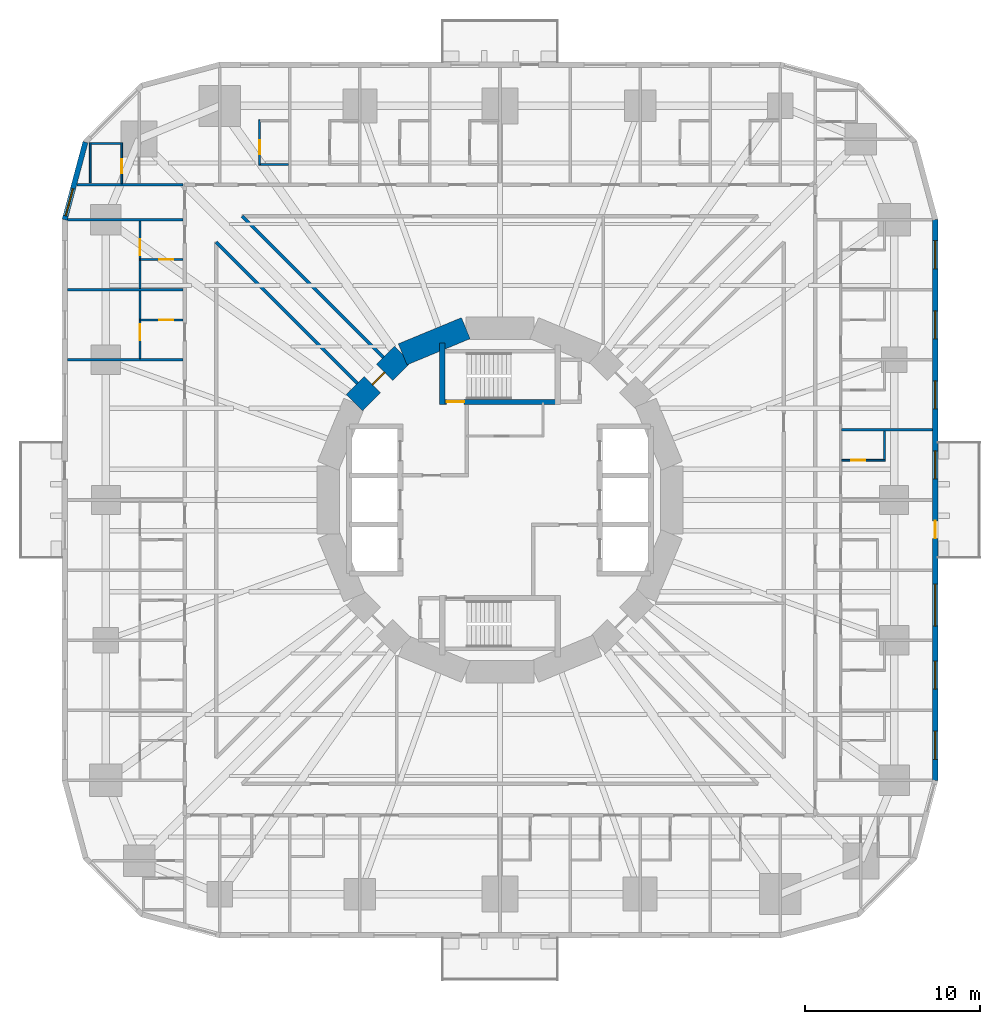
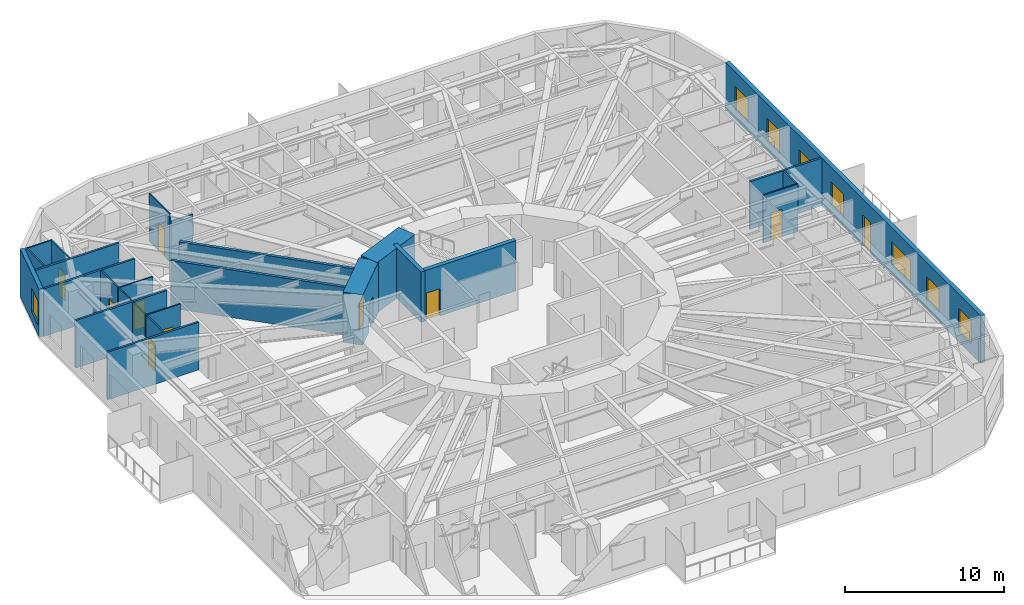
# One storey, part 9 of 14: 26 walls, 10 doors, 8 windows, 18 openings.
"""IFC4 building model written with IfcOpenShell, lengths in metres."""

import ifcopenshell
import ifcopenshell.guid

model = None  # the IFC model being written
_history = None  # IfcOwnerHistory: only IFC2X3 demands one
_inside = {}  # id of a spatial element -> (the spatial element, [elements in it])
_under = {}  # id of a project, library or spatial element -> (it, [spatial elements below it])
_declared = {}  # id of a project -> (the project, [libraries it declares])
_typed = {}  # id of a type object -> (the type object, [elements of that type])
_made_of = {}  # id of a material, layer set ... -> (it, [elements and type objects made of it])


def new_model(schema):
    """Start an empty IFC model of exactly this schema.

    Asked for "IFC4X3", IfcOpenShell would pick the latest addendum, in which some entities
    have other attributes; the version numbers below select the first issue.
    IFC2X3 requires an IfcOwnerHistory on every rooted entity: one is made here for all.
    """
    global model, _history
    if schema == "IFC4X3":
        model = ifcopenshell.file(schema_version=(4, 3, 0, 0))
    else:
        model = ifcopenshell.file(schema=schema)
    _inside.clear()
    _under.clear()
    _declared.clear()
    _typed.clear()
    _made_of.clear()
    _history = None
    if model.schema == "IFC2X3":
        org = make("IfcOrganization", Name="unknown")
        user = make(
            "IfcPersonAndOrganization",
            ThePerson=make("IfcPerson", FamilyName="unknown"),
            TheOrganization=org,
        )
        app = make(
            "IfcApplication",
            ApplicationDeveloper=org,
            Version="unknown",
            ApplicationFullName="unknown",
            ApplicationIdentifier="unknown",
        )
        _history = make(
            "IfcOwnerHistory",
            OwningUser=user,
            OwningApplication=app,
            ChangeAction="ADDED",
            CreationDate=0,
        )
    return model


def make(cls, **values):
    """One entity of the class cls with the attributes given. An attribute that is None is left unset."""
    return model.create_entity(
        cls, **{name: value for name, value in values.items() if value is not None}
    )


def rooted(cls, **values):
    """An entity with a GlobalId (a new one), such as an element, a storey or a relation."""
    return make(cls, GlobalId=ifcopenshell.guid.new(), OwnerHistory=_history, **values)


def si_unit(unit_type, name, prefix=None):
    """IfcSIUnit, for example si_unit("LENGTHUNIT", "METRE", prefix="MILLI")."""
    return make("IfcSIUnit", UnitType=unit_type, Prefix=prefix, Name=name)


def assignment(units):
    """IfcUnitAssignment: the units of a project."""
    return None if units is None else make("IfcUnitAssignment", Units=units)


def point(xyz):
    """IfcCartesianPoint."""
    return None if xyz is None else make("IfcCartesianPoint", Coordinates=xyz)


def direction(xyz):
    """IfcDirection."""
    return None if xyz is None else make("IfcDirection", DirectionRatios=xyz)


def frame(location, z_axis=None, x_axis=None):
    """IfcAxis2Placement3D, a coordinate frame: its origin and axes. An axis left out is left unset."""
    return make(
        "IfcAxis2Placement3D",
        Location=point(location),
        Axis=direction(z_axis),
        RefDirection=direction(x_axis),
    )


def frame_2d(location, x_axis=None):
    """IfcAxis2Placement2D, a coordinate frame in the plane: its origin and x axis."""
    return make(
        "IfcAxis2Placement2D", Location=point(location), RefDirection=direction(x_axis)
    )


def origin():
    """The frame at (0, 0, 0) with its axes left unset."""
    return frame((0.0, 0.0, 0.0))


def place(relative_to, where):
    """IfcLocalPlacement: puts the frame where relative to a parent placement (None: the world)."""
    return make(
        "IfcLocalPlacement", PlacementRelTo=relative_to, RelativePlacement=where
    )


def context(
    kind, dimensions, precision=None, world=None, true_north=None, identifier=None
):
    """IfcGeometricRepresentationContext, for example the 3D "Model" context."""
    return make(
        "IfcGeometricRepresentationContext",
        ContextIdentifier=identifier,
        ContextType=kind,
        CoordinateSpaceDimension=dimensions,
        Precision=precision,
        WorldCoordinateSystem=world,
        TrueNorth=true_north,
    )


def subcontext(parent, identifier, kind, view, scale=None):
    """IfcGeometricRepresentationSubContext, for example "Body" below "Model"."""
    return make(
        "IfcGeometricRepresentationSubContext",
        ContextIdentifier=identifier,
        ContextType=kind,
        ParentContext=parent,
        TargetScale=scale,
        TargetView=view,
    )


def project(units=None, contexts=None):
    """IfcProject with its units and contexts."""
    return rooted(
        "IfcProject",
        Name="project",
        RepresentationContexts=contexts,
        UnitsInContext=assignment(units),
    )


def spatial(cls, under=None, at=None, **own):
    """A site, building, storey or space (cls), placed at a placement, below another one or the project."""
    s = rooted(cls, ObjectPlacement=at, **own)
    if under is not None:
        _under.setdefault(under.id(), (under, []))[1].append(s)
    return s


def profile(cls, at=None, kind="AREA", **sizes):
    """A parametric profile (cls). Its sizes go by their IFC names, for example OverallWidth=200.0."""
    return make(cls, ProfileType=kind, Position=at, **sizes)


def rectangle(**sizes):
    """IfcRectangleProfileDef."""
    return profile("IfcRectangleProfileDef", **sizes)


def extrude(swept, where, along, depth):
    """IfcExtrudedAreaSolid: the profile swept, set in the frame where, extruded along a direction by depth."""
    return make(
        "IfcExtrudedAreaSolid",
        SweptArea=swept,
        Position=where,
        ExtrudedDirection=direction(along),
        Depth=depth,
    )


def shape(context_of_items, identifier, shape_type, items):
    """IfcShapeRepresentation: the items that make up one representation, for example the "Body"."""
    return make(
        "IfcShapeRepresentation",
        ContextOfItems=context_of_items,
        RepresentationIdentifier=identifier,
        RepresentationType=shape_type,
        Items=items,
    )


def material(Name=None, Category=None):
    """IfcMaterial."""
    return make("IfcMaterial", Name=Name, Category=Category)


def layer(
    of_material, thickness, ventilated=None, Name=None, Category=None, Priority=None
):
    """IfcMaterialLayer: one layer of a wall or slab, of a material (None: an air gap)."""
    return make(
        "IfcMaterialLayer",
        Material=of_material,
        LayerThickness=thickness,
        IsVentilated=ventilated,
        Name=Name,
        Category=Category,
        Priority=Priority,
    )


def layer_set(layers, Name=None):
    """IfcMaterialLayerSet."""
    return make("IfcMaterialLayerSet", MaterialLayers=layers, LayerSetName=Name)


def made_of(thing, what):
    """Note that an element or type object is made of a material, layer set ...; save() writes the relation."""
    if what is not None:
        _made_of.setdefault(what.id(), (what, []))[1].append(thing)
    return thing


def type_object(cls, material=None, **own):
    """A type object (cls), such as IfcWallType, which elements share."""
    return made_of(rooted(cls, **own), material)


def element(
    cls,
    number,
    at=None,
    inside=None,
    cuts=None,
    type_object=None,
    material=None,
    context=None,
    identifier="Body",
    shape_type=None,
    held_by="IfcProductDefinitionShape",
    body=None,
    shapes=None,
    **own,
):
    """One element of the class cls, such as IfcWall. Its Tag is "e" and its number.

    at: its placement. inside: the storey or other place that contains it. cuts: it is an
    opening in that element (IfcRelVoidsElement). A single representation is given by context,
    identifier, shape_type and body (its items); several are given by shapes. held_by: the class
    of the entity that holds the representations. save() writes the other relations.
    """
    e = rooted(cls, Tag="e%d" % number, ObjectPlacement=at, **own)
    if body is not None:
        shapes = [shape(context, identifier, shape_type, body)]
    if shapes is not None:
        e.Representation = make(held_by, Representations=shapes)
    if inside is not None:
        _inside.setdefault(inside.id(), (inside, []))[1].append(e)
    if cuts is not None:
        rooted(
            "IfcRelVoidsElement", RelatingBuildingElement=cuts, RelatedOpeningElement=e
        )
    if type_object is not None:
        _typed.setdefault(type_object.id(), (type_object, []))[1].append(e)
    return made_of(e, material)


def fill(opening, filler):
    """IfcRelFillsElement: the door or window that sits in an opening."""
    return rooted(
        "IfcRelFillsElement",
        RelatingOpeningElement=opening,
        RelatedBuildingElement=filler,
    )


def aggregate(whole, parts):
    """IfcRelAggregates: a whole, such as a stair, and the parts it consists of."""
    return rooted("IfcRelAggregates", RelatingObject=whole, RelatedObjects=parts)


def save(model, path):
    """Write the relations noted so far, then the file.

    IfcRelAggregates (storeys below a building ...), IfcRelContainedInSpatialStructure (elements
    in a storey), IfcRelDefinesByType, IfcRelAssociatesMaterial and IfcRelDeclares: one each for
    every whole, place, type object, material and project.
    """
    for whole, parts in _under.values():
        aggregate(whole, parts)
    for where, things in _inside.values():
        rooted(
            "IfcRelContainedInSpatialStructure",
            RelatedElements=things,
            RelatingStructure=where,
        )
    for kind, things in _typed.values():
        rooted("IfcRelDefinesByType", RelatedObjects=things, RelatingType=kind)
    for what, things in _made_of.values():
        rooted("IfcRelAssociatesMaterial", RelatedObjects=things, RelatingMaterial=what)
    for by, libraries in _declared.values():
        rooted("IfcRelDeclares", RelatingContext=by, RelatedDefinitions=libraries)
    model.write(path)


model = new_model("IFC4")

# Units and contexts
model_context = context("Model", 3, precision=1e-05, world=origin(), true_north=direction((0.0, 1.0)))
body_context = subcontext(model_context, "Body", "Model", "MODEL_VIEW")
ifc_project = project(units=[si_unit("LENGTHUNIT", "METRE"), si_unit("AREAUNIT", "SQUARE_METRE"), si_unit("VOLUMEUNIT", "CUBIC_METRE"), si_unit("PLANEANGLEUNIT", "RADIAN"), si_unit("MASSUNIT", "GRAM", prefix="KILO")], contexts=[model_context])

# Site, building, storey
site_placement = place(None, origin())
site = spatial("IfcSite", under=ifc_project, at=site_placement, CompositionType="ELEMENT")
building_placement = place(site_placement, origin())
building = spatial("IfcBuilding", under=site, at=building_placement, Name="Nakasero Lantern House", CompositionType="ELEMENT")
storey_placement = place(building_placement, frame((0.0, 0.0, 50.64990234375)))
storey = spatial("IfcBuildingStorey", under=building, at=storey_placement, Name="L12", CompositionType="ELEMENT", Elevation=50.64990234375)

# Wall, opening, door
ifc_material_1 = material(Name="Concrete C50/60", Category="concrete")
ifc_layer_1 = layer(ifc_material_1, 0.300048828125)
ifc_layer_set_1 = layer_set([ifc_layer_1], Name="Core inner wall 300")
wall_type_1 = type_object("IfcWallType", Name="Core inner wall 300", PredefinedType="SHEAR", material=ifc_layer_set_1)
wall_1_placement = place(storey_placement, frame((-3.449951171875, 5.60009765625, 0.0), z_axis=(0.0, 0.0, 1.0), x_axis=(1.0, 0.0, 0.0)))
wall_1 = element("IfcWall", 1, at=wall_1_placement, inside=storey, type_object=wall_type_1, Name="Core inner wall L12 SN", PredefinedType="SHEAR", context=body_context, shape_type="SweptSolid", body=[
    extrude(rectangle(XDim=6.89990234375, YDim=0.300048828125, at=frame_2d((3.449951171875, 0.0))), origin(), (0.0, 0.0, 1.0), 3.85009765625),
])
opening_1_placement = place(wall_1_placement, frame((0.39990234375, 0.0, 0.0)))
opening_1 = element("IfcOpeningElement", 2, at=opening_1_placement, cuts=wall_1, Name="Opening D05", PredefinedType="OPENING", context=body_context, shape_type="SweptSolid", body=[
    extrude(rectangle(XDim=1.0, YDim=2.10009765625, at=frame_2d((0.5, 1.050048828125))), frame((0.0, 0.169921875, 0.0), z_axis=(0.0, -1.0, 0.0), x_axis=(1.0, 0.0, 0.0)), (0.0, 0.0, 1.0), 0.340087890625),
])
ifc_material_2 = material(Name="Timber C24", Category="wood")
door_type_1 = type_object("IfcDoorType", Name="Core door FD60S 1000", OperationType="SINGLE_SWING_LEFT", PredefinedType="DOOR", material=ifc_material_2)
door_1_placement = place(opening_1_placement, origin())
door_1 = element("IfcDoor", 3, at=door_1_placement, inside=storey, type_object=door_type_1, Name="Door L12 D-ST1", OperationType="SINGLE_SWING_LEFT", OverallHeight=2.10009765625, OverallWidth=1.0, PredefinedType="DOOR", context=body_context, shape_type="SweptSolid", body=[
    extrude(rectangle(XDim=1.0, YDim=2.10009765625, at=frame_2d((0.5, 1.050048828125))), frame((0.0, 0.02490234375, 0.0), z_axis=(0.0, -1.0, 0.0), x_axis=(1.0, 0.0, 0.0)), (0.0, 0.0, 1.0), 0.050048828125),
])
fill(opening_1, door_1)

# Walls
wall_2_placement = place(storey_placement, frame((-3.300048828125, 5.449951171875, 0.0), z_axis=(0.0, 0.0, 1.0), x_axis=(0.0, 1.0, 0.0)))
element("IfcWall", 4, at=wall_2_placement, inside=storey, type_object=wall_type_1, Name="Core inner wall L12 SNW", PredefinedType="SHEAR", context=body_context, shape_type="SweptSolid", body=[
    extrude(rectangle(XDim=3.5, YDim=0.300048828125, at=frame_2d((1.75, 0.0))), origin(), (0.0, 0.0, 1.0), 3.85009765625),
])
ifc_material_3 = material(Name="Concrete C50/60", Category="concrete")
ifc_layer_2 = layer(ifc_material_3, 1.300048828125)
ifc_layer_set_2 = layer_set([ifc_layer_2], Name="Core wall 1300")
wall_type_2 = type_object("IfcWallType", Name="Core wall 1300", PredefinedType="SHEAR", material=ifc_layer_set_2)
wall_3_placement = place(storey_placement, frame((-1.950927734375, 9.807861328125, 0.0), z_axis=(0.0, 0.0, 1.0), x_axis=(-0.923876507187, -0.382690736062, 0.0)))
element("IfcWall", 5, at=wall_3_placement, inside=storey, type_object=wall_type_2, Name="Core wall L12 facet 5", PredefinedType="SHEAR", context=body_context, shape_type="SweptSolid", body=[
    extrude(rectangle(XDim=3.90185546875, YDim=1.300048828125, at=frame_2d((1.950927734375, 0.0))), origin(), (0.0, 0.0, 1.0), 3.85009765625),
])

# Wall, opening, door
wall_4_placement = place(storey_placement, frame((-5.5556640625, 8.314697265625, 0.0), z_axis=(0.0, 0.0, 1.0), x_axis=(-0.707106781187, -0.707106781187, 0.0)))
wall_4 = element("IfcWall", 6, at=wall_4_placement, inside=storey, type_object=wall_type_2, Name="Core wall L12 facet 6", PredefinedType="SHEAR", context=body_context, shape_type="SweptSolid", body=[
    extrude(rectangle(XDim=3.90185546875, YDim=1.300048828125, at=frame_2d((1.950927734375, 0.0))), origin(), (0.0, 0.0, 1.0), 3.85009765625),
])
opening_2_placement = place(wall_4_placement, frame((1.450927734375, 0.0, 0.0)))
opening_2 = element("IfcOpeningElement", 7, at=opening_2_placement, cuts=wall_4, Name="Opening D05", PredefinedType="OPENING", context=body_context, shape_type="SweptSolid", body=[
    extrude(rectangle(XDim=1.0, YDim=2.10009765625, at=frame_2d((0.5, 1.050048828125))), frame((0.0, 0.669921875, 0.0), z_axis=(0.0, -1.0, 0.0), x_axis=(1.0, 0.0, 0.0)), (0.0, 0.0, 1.0), 1.340087890625),
])
door_2_placement = place(opening_2_placement, origin())
door_2 = element("IfcDoor", 8, at=door_2_placement, inside=storey, type_object=door_type_1, Name="Door L12 D-CORE06", OperationType="SINGLE_SWING_LEFT", OverallHeight=2.10009765625, OverallWidth=1.0, PredefinedType="DOOR", context=body_context, shape_type="SweptSolid", body=[
    extrude(rectangle(XDim=1.0, YDim=2.10009765625, at=frame_2d((0.5, 1.050048828125))), frame((0.0, 0.02490234375, 0.0), z_axis=(0.0, -1.0, 0.0), x_axis=(1.0, 0.0, 0.0)), (0.0, 0.0, 1.0), 0.050048828125),
])
fill(opening_2, door_2)

# Walls
ifc_material_4 = material(Name="Blockwork", Category="masonry")
ifc_layer_3 = layer(ifc_material_4, 0.199951171875)
ifc_layer_set_3 = layer_set([ifc_layer_3], Name="Corridor wall 200")
wall_type_3 = type_object("IfcWallType", Name="Corridor wall 200", PredefinedType="PARTITIONING", material=ifc_layer_set_3)
for number, where, z_axis, x_axis, name in (
    (9, (-8.13720703125, 6.65234375, 0.0), (0.0, 0.0, 1.0), (-0.707106781187, 0.707106781187, 0.0), "Corridor wall L12 PS06a"),
    (10, (-6.65234375, 8.13720703125, 0.0), (0.0, 0.0, 1.0), (-0.707106781187, 0.707106781187, 0.0), "Corridor wall L12 PS06b"),
):
    element("IfcWall", number, at=place(storey_placement, frame(where, z_axis=z_axis, x_axis=x_axis)), inside=storey, type_object=wall_type_3, Name=name, PredefinedType="PARTITIONING", context=body_context, shape_type="SweptSolid", body=[
        extrude(rectangle(XDim=11.40234375, YDim=0.199951171875, at=frame_2d((5.701171875, 0.0))), origin(), (0.0, 0.0, 1.0), 3.650146484375),
    ])

# Wall, opening, door
ifc_material_5 = material(Name="Blockwork", Category="masonry")
ifc_layer_4 = layer(ifc_material_5, 0.10009765625)
ifc_layer_set_4 = layer_set([ifc_layer_4], Name="En-suite wall 100")
wall_type_4 = type_object("IfcWallType", Name="En-suite wall 100", PredefinedType="PARTITIONING", material=ifc_layer_set_4)
wall_5_placement = place(storey_placement, frame((19.5, 2.27490234375, 0.0), z_axis=(0.0, 0.0, 1.0), x_axis=(1.0, 0.0, 0.0)))
wall_5 = element("IfcWall", 11, at=wall_5_placement, inside=storey, type_object=wall_type_4, Name="En-suite wall L12 ES0-05", PredefinedType="PARTITIONING", context=body_context, shape_type="SweptSolid", body=[
    extrude(rectangle(XDim=2.5, YDim=0.10009765625, at=frame_2d((1.25, 0.0))), origin(), (0.0, 0.0, 1.0), 3.650146484375),
])
opening_3_placement = place(wall_5_placement, frame((0.550048828125, 0.0, 0.0)))
opening_3 = element("IfcOpeningElement", 12, at=opening_3_placement, cuts=wall_5, Name="Opening D02", PredefinedType="OPENING", context=body_context, shape_type="SweptSolid", body=[
    extrude(rectangle(XDim=0.800048828125, YDim=2.10009765625, at=frame_2d((0.39990234375, 1.050048828125))), frame((0.0, 0.070068359375, 0.0), z_axis=(0.0, -1.0, 0.0), x_axis=(1.0, 0.0, 0.0)), (0.0, 0.0, 1.0), 0.14013671875),
])
ifc_material_6 = material(Name="Timber C24", Category="wood")
door_type_2 = type_object("IfcDoorType", Name="En-suite door 800", OperationType="SINGLE_SWING_RIGHT", PredefinedType="DOOR", material=ifc_material_6)
door_3_placement = place(opening_3_placement, origin())
door_3 = element("IfcDoor", 13, at=door_3_placement, inside=storey, type_object=door_type_2, Name="Door L12 DE0-05", OperationType="SINGLE_SWING_LEFT", OverallHeight=2.10009765625, OverallWidth=0.800048828125, PredefinedType="DOOR", context=body_context, shape_type="SweptSolid", body=[
    extrude(rectangle(XDim=0.800048828125, YDim=2.10009765625, at=frame_2d((0.39990234375, 1.050048828125))), frame((0.0, 0.02490234375, 0.0), z_axis=(0.0, -1.0, 0.0), x_axis=(1.0, 0.0, 0.0)), (0.0, 0.0, 1.0), 0.050048828125),
])
fill(opening_3, door_3)

# Wall
wall_6_placement = place(storey_placement, frame((21.949951171875, 2.324951171875, 0.0), z_axis=(0.0, 0.0, 1.0), x_axis=(0.0, 1.0, 0.0)))
element("IfcWall", 14, at=wall_6_placement, inside=storey, type_object=wall_type_4, Name="En-suite wall L12 EE0-05", PredefinedType="PARTITIONING", context=body_context, shape_type="SweptSolid", body=[
    extrude(rectangle(XDim=1.60009765625, YDim=0.10009765625, at=frame_2d((0.800048828125, 0.0))), origin(), (0.0, 0.0, 1.0), 3.650146484375),
])

# Wall, opening, door
wall_7_placement = place(storey_placement, frame((-13.72509765625, 19.10009765625, 0.0), z_axis=(0.0, 0.0, 1.0), x_axis=(0.0, 1.0, 0.0)))
wall_7 = element("IfcWall", 15, at=wall_7_placement, inside=storey, type_object=wall_type_4, Name="En-suite wall L12 ES1-08", PredefinedType="PARTITIONING", context=body_context, shape_type="SweptSolid", body=[
    extrude(rectangle(XDim=2.599853515625, YDim=0.10009765625, at=frame_2d((1.2998046875, 0.0))), origin(), (0.0, 0.0, 1.0), 3.650146484375),
])
opening_4_placement = place(wall_7_placement, frame((0.64990234375, 0.0, 0.0)))
opening_4 = element("IfcOpeningElement", 16, at=opening_4_placement, cuts=wall_7, Name="Opening D02", PredefinedType="OPENING", context=body_context, shape_type="SweptSolid", body=[
    extrude(rectangle(XDim=0.800048828125, YDim=2.10009765625, at=frame_2d((0.39990234375, 1.050048828125))), frame((0.0, 0.070068359375, 0.0), z_axis=(0.0, -1.0, 0.0), x_axis=(1.0, 0.0, 0.0)), (0.0, 0.0, 1.0), 0.14013671875),
])
door_4_placement = place(opening_4_placement, origin())
door_4 = element("IfcDoor", 17, at=door_4_placement, inside=storey, type_object=door_type_2, Name="Door L12 DE1-08", OperationType="SINGLE_SWING_LEFT", OverallHeight=2.10009765625, OverallWidth=0.800048828125, PredefinedType="DOOR", context=body_context, shape_type="SweptSolid", body=[
    extrude(rectangle(XDim=0.800048828125, YDim=2.10009765625, at=frame_2d((0.39990234375, 1.050048828125))), frame((0.0, 0.02490234375, 0.0), z_axis=(0.0, -1.0, 0.0), x_axis=(1.0, 0.0, 0.0)), (0.0, 0.0, 1.0), 0.050048828125),
])
fill(opening_4, door_4)

# Wall
wall_8_placement = place(storey_placement, frame((-12.074951171875, 19.14990234375, 0.0), z_axis=(0.0, 0.0, 1.0), x_axis=(-1.0, 0.0, 0.0)))
element("IfcWall", 18, at=wall_8_placement, inside=storey, type_object=wall_type_4, Name="En-suite wall L12 EI1-08", PredefinedType="PARTITIONING", context=body_context, shape_type="SweptSolid", body=[
    extrude(rectangle(XDim=1.60009765625, YDim=0.10009765625, at=frame_2d((0.800048828125, 0.0))), origin(), (0.0, 0.0, 1.0), 3.037841796875),
])

# Wall, opening, door
wall_9_placement = place(storey_placement, frame((-21.59619140625, 18.06494140625, 0.0), z_axis=(0.0, 0.0, 1.0), x_axis=(0.0, 1.0, 0.0)))
wall_9 = element("IfcWall", 19, at=wall_9_placement, inside=storey, type_object=wall_type_4, Name="En-suite wall L12 ES1-09", PredefinedType="PARTITIONING", context=body_context, shape_type="SweptSolid", body=[
    extrude(rectangle(XDim=2.3349609375, YDim=0.10009765625, at=frame_2d((1.16748046875, 0.0))), origin(), (0.0, 0.0, 1.0), 3.650146484375),
])
opening_5_placement = place(wall_9_placement, frame((0.5849609375, 0.0, 0.0)))
opening_5 = element("IfcOpeningElement", 20, at=opening_5_placement, cuts=wall_9, Name="Opening D02", PredefinedType="OPENING", context=body_context, shape_type="SweptSolid", body=[
    extrude(rectangle(XDim=0.800048828125, YDim=2.10009765625, at=frame_2d((0.39990234375, 1.050048828125))), frame((0.0, 0.070068359375, 0.0), z_axis=(0.0, -1.0, 0.0), x_axis=(1.0, 0.0, 0.0)), (0.0, 0.0, 1.0), 0.14013671875),
])
door_5_placement = place(opening_5_placement, origin())
door_5 = element("IfcDoor", 21, at=door_5_placement, inside=storey, type_object=door_type_2, Name="Door L12 DE1-09", OperationType="SINGLE_SWING_LEFT", OverallHeight=2.10009765625, OverallWidth=0.800048828125, PredefinedType="DOOR", context=body_context, shape_type="SweptSolid", body=[
    extrude(rectangle(XDim=0.800048828125, YDim=2.10009765625, at=frame_2d((0.39990234375, 1.050048828125))), frame((0.0, 0.02490234375, 0.0), z_axis=(0.0, -1.0, 0.0), x_axis=(1.0, 0.0, 0.0)), (0.0, 0.0, 1.0), 0.050048828125),
])
fill(opening_5, door_5)

# Walls
wall_10_placement = place(storey_placement, frame((-21.646240234375, 20.35009765625, 0.0), z_axis=(0.0, 0.0, 1.0), x_axis=(-1.0, 0.0, 0.0)))
element("IfcWall", 22, at=wall_10_placement, inside=storey, type_object=wall_type_4, Name="En-suite wall L12 EE1-09", PredefinedType="PARTITIONING", context=body_context, shape_type="SweptSolid", body=[
    extrude(rectangle(XDim=1.699951171875, YDim=0.10009765625, at=frame_2d((0.85009765625, 0.0))), origin(), (0.0, 0.0, 1.0), 3.650146484375),
])
wall_11_placement = place(storey_placement, frame((-23.396240234375, 18.10009765625, 0.0), z_axis=(0.0, 0.0, 1.0), x_axis=(0.0, 1.0, 0.0)))
element("IfcWall", 23, at=wall_11_placement, inside=storey, type_object=wall_type_4, Name="En-suite wall L12 EV1-09", PredefinedType="PARTITIONING", context=body_context, shape_type="SweptSolid", body=[
    extrude(rectangle(XDim=2.2998046875, YDim=0.10009765625, at=frame_2d((1.14990234375, 0.0))), origin(), (0.0, 0.0, 1.0), 3.650146484375),
])

# Wall, opening, door
wall_12_placement = place(storey_placement, frame((-18.10009765625, 13.72509765625, 0.0), z_axis=(0.0, 0.0, 1.0), x_axis=(-1.0, 0.0, 0.0)))
wall_12 = element("IfcWall", 24, at=wall_12_placement, inside=storey, type_object=wall_type_4, Name="En-suite wall L12 ES2-01", PredefinedType="PARTITIONING", context=body_context, shape_type="SweptSolid", body=[
    extrude(rectangle(XDim=2.5, YDim=0.10009765625, at=frame_2d((1.25, 0.0))), origin(), (0.0, 0.0, 1.0), 3.650146484375),
])
opening_6_placement = place(wall_12_placement, frame((0.550048828125, 0.0, 0.0)))
opening_6 = element("IfcOpeningElement", 25, at=opening_6_placement, cuts=wall_12, Name="Opening D02", PredefinedType="OPENING", context=body_context, shape_type="SweptSolid", body=[
    extrude(rectangle(XDim=0.800048828125, YDim=2.10009765625, at=frame_2d((0.39990234375, 1.050048828125))), frame((0.0, 0.070068359375, 0.0), z_axis=(0.0, -1.0, 0.0), x_axis=(1.0, 0.0, 0.0)), (0.0, 0.0, 1.0), 0.14013671875),
])
door_6_placement = place(opening_6_placement, origin())
door_6 = element("IfcDoor", 26, at=door_6_placement, inside=storey, type_object=door_type_2, Name="Door L12 DE2-01", OperationType="SINGLE_SWING_LEFT", OverallHeight=2.10009765625, OverallWidth=0.800048828125, PredefinedType="DOOR", context=body_context, shape_type="SweptSolid", body=[
    extrude(rectangle(XDim=0.800048828125, YDim=2.10009765625, at=frame_2d((0.39990234375, 1.050048828125))), frame((0.0, 0.02490234375, 0.0), z_axis=(0.0, -1.0, 0.0), x_axis=(1.0, 0.0, 0.0)), (0.0, 0.0, 1.0), 0.050048828125),
])
fill(opening_6, door_6)

# Wall
wall_13_placement = place(storey_placement, frame((-20.550048828125, 13.675048828125, 0.0), z_axis=(0.0, 0.0, 1.0), x_axis=(0.0, -1.0, 0.0)))
element("IfcWall", 27, at=wall_13_placement, inside=storey, type_object=wall_type_4, Name="En-suite wall L12 EE2-01", PredefinedType="PARTITIONING", context=body_context, shape_type="SweptSolid", body=[
    extrude(rectangle(XDim=1.60009765625, YDim=0.10009765625, at=frame_2d((0.800048828125, 0.0))), origin(), (0.0, 0.0, 1.0), 3.650146484375),
])

# Wall, opening, door
wall_14_placement = place(storey_placement, frame((-18.10009765625, 10.27490234375, 0.0), z_axis=(0.0, 0.0, 1.0), x_axis=(-1.0, 0.0, 0.0)))
wall_14 = element("IfcWall", 28, at=wall_14_placement, inside=storey, type_object=wall_type_4, Name="En-suite wall L12 ES2-02", PredefinedType="PARTITIONING", context=body_context, shape_type="SweptSolid", body=[
    extrude(rectangle(XDim=2.5, YDim=0.10009765625, at=frame_2d((1.25, 0.0))), origin(), (0.0, 0.0, 1.0), 3.650146484375),
])
opening_7_placement = place(wall_14_placement, frame((0.550048828125, 0.0, 0.0)))
opening_7 = element("IfcOpeningElement", 29, at=opening_7_placement, cuts=wall_14, Name="Opening D02", PredefinedType="OPENING", context=body_context, shape_type="SweptSolid", body=[
    extrude(rectangle(XDim=0.800048828125, YDim=2.10009765625, at=frame_2d((0.39990234375, 1.050048828125))), frame((0.0, 0.070068359375, 0.0), z_axis=(0.0, -1.0, 0.0), x_axis=(1.0, 0.0, 0.0)), (0.0, 0.0, 1.0), 0.14013671875),
])
door_7_placement = place(opening_7_placement, origin())
door_7 = element("IfcDoor", 30, at=door_7_placement, inside=storey, type_object=door_type_2, Name="Door L12 DE2-02", OperationType="SINGLE_SWING_LEFT", OverallHeight=2.10009765625, OverallWidth=0.800048828125, PredefinedType="DOOR", context=body_context, shape_type="SweptSolid", body=[
    extrude(rectangle(XDim=0.800048828125, YDim=2.10009765625, at=frame_2d((0.39990234375, 1.050048828125))), frame((0.0, 0.02490234375, 0.0), z_axis=(0.0, -1.0, 0.0), x_axis=(1.0, 0.0, 0.0)), (0.0, 0.0, 1.0), 0.050048828125),
])
fill(opening_7, door_7)

# Wall
wall_15_placement = place(storey_placement, frame((-20.550048828125, 11.925048828125, 0.0), z_axis=(0.0, 0.0, 1.0), x_axis=(0.0, -1.0, 0.0)))
element("IfcWall", 31, at=wall_15_placement, inside=storey, type_object=wall_type_4, Name="En-suite wall L12 EE2-02", PredefinedType="PARTITIONING", context=body_context, shape_type="SweptSolid", body=[
    extrude(rectangle(XDim=1.60009765625, YDim=0.10009765625, at=frame_2d((0.800048828125, 0.0))), origin(), (0.0, 0.0, 1.0), 3.650146484375),
])

# Wall, opening, door
wall_16_placement = place(storey_placement, frame((-20.550048828125, 15.925048828125, 0.0), z_axis=(0.0, 0.0, 1.0), x_axis=(0.0, -1.0, 0.0)))
wall_16 = element("IfcWall", 32, at=wall_16_placement, inside=storey, type_object=wall_type_4, Name="En-suite wall L12 EL2-01", PredefinedType="PARTITIONING", context=body_context, shape_type="SweptSolid", body=[
    extrude(rectangle(XDim=2.150146484375, YDim=0.10009765625, at=frame_2d((1.0751953125, 0.0))), origin(), (0.0, 0.0, 1.0), 3.650146484375),
])
opening_8_placement = place(wall_16_placement, frame((1.050048828125, 0.0, 0.0)))
opening_8 = element("IfcOpeningElement", 33, at=opening_8_placement, cuts=wall_16, Name="Opening D17", PredefinedType="OPENING", context=body_context, shape_type="SweptSolid", body=[
    extrude(rectangle(XDim=0.89990234375, YDim=2.10009765625, at=frame_2d((0.449951171875, 1.050048828125))), frame((0.0, 0.070068359375, 0.0), z_axis=(0.0, -1.0, 0.0), x_axis=(1.0, 0.0, 0.0)), (0.0, 0.0, 1.0), 0.14013671875),
])
ifc_material_7 = material(Name="Timber C24", Category="wood")
door_type_3 = type_object("IfcDoorType", Name="Bedroom door FD30S 900", OperationType="SINGLE_SWING_LEFT", PredefinedType="DOOR", material=ifc_material_7)
door_8_placement = place(opening_8_placement, origin())
door_8 = element("IfcDoor", 34, at=door_8_placement, inside=storey, type_object=door_type_3, Name="Door L12 DL2-01", OperationType="SINGLE_SWING_RIGHT", OverallHeight=2.10009765625, OverallWidth=0.89990234375, PredefinedType="DOOR", context=body_context, shape_type="SweptSolid", body=[
    extrude(rectangle(XDim=0.89990234375, YDim=2.10009765625, at=frame_2d((0.449951171875, 1.050048828125))), frame((0.0, 0.02490234375, 0.0), z_axis=(0.0, -1.0, 0.0), x_axis=(1.0, 0.0, 0.0)), (0.0, 0.0, 1.0), 0.050048828125),
])
fill(opening_8, door_8)

wall_17_placement = place(storey_placement, frame((-20.550048828125, 10.22509765625, 0.0), z_axis=(0.0, 0.0, 1.0), x_axis=(0.0, -1.0, 0.0)))
wall_17 = element("IfcWall", 35, at=wall_17_placement, inside=storey, type_object=wall_type_4, Name="En-suite wall L12 EL2-02", PredefinedType="PARTITIONING", context=body_context, shape_type="SweptSolid", body=[
    extrude(rectangle(XDim=2.150146484375, YDim=0.10009765625, at=frame_2d((1.0751953125, 0.0))), origin(), (0.0, 0.0, 1.0), 3.650146484375),
])
opening_9_placement = place(wall_17_placement, frame((0.199951171875, 0.0, 0.0)))
opening_9 = element("IfcOpeningElement", 36, at=opening_9_placement, cuts=wall_17, Name="Opening D17", PredefinedType="OPENING", context=body_context, shape_type="SweptSolid", body=[
    extrude(rectangle(XDim=0.89990234375, YDim=2.10009765625, at=frame_2d((0.449951171875, 1.050048828125))), frame((0.0, 0.070068359375, 0.0), z_axis=(0.0, -1.0, 0.0), x_axis=(1.0, 0.0, 0.0)), (0.0, 0.0, 1.0), 0.14013671875),
])
door_9_placement = place(opening_9_placement, origin())
door_9 = element("IfcDoor", 37, at=door_9_placement, inside=storey, type_object=door_type_3, Name="Door L12 DL2-02", OperationType="SINGLE_SWING_LEFT", OverallHeight=2.10009765625, OverallWidth=0.89990234375, PredefinedType="DOOR", context=body_context, shape_type="SweptSolid", body=[
    extrude(rectangle(XDim=0.89990234375, YDim=2.10009765625, at=frame_2d((0.449951171875, 1.050048828125))), frame((0.0, 0.02490234375, 0.0), z_axis=(0.0, -1.0, 0.0), x_axis=(1.0, 0.0, 0.0)), (0.0, 0.0, 1.0), 0.050048828125),
])
fill(opening_9, door_9)

# Wall, openings, door, windows
ifc_material_8 = material(Name="Aluminium rainscreen on blockwork", Category="masonry")
ifc_layer_5 = layer(ifc_material_8, 0.300048828125)
ifc_layer_set_5 = layer_set([ifc_layer_5], Name="Facade wall 300")
wall_type_5 = type_object("IfcWallType", Name="Facade wall 300", PredefinedType="SOLIDWALL", material=ifc_layer_set_5)
wall_18_placement = place(storey_placement, frame((24.85009765625, -16.0, 0.0), z_axis=(0.0, 0.0, 1.0), x_axis=(0.0, 1.0, 0.0)))
wall_18 = element("IfcWall", 38, at=wall_18_placement, inside=storey, type_object=wall_type_5, Name="Facade wall L12 FW0S", PredefinedType="SOLIDWALL", context=body_context, shape_type="SweptSolid", body=[
    extrude(rectangle(XDim=32.0, YDim=0.300048828125, at=frame_2d((16.0, 0.0))), origin(), (0.0, 0.0, 1.0), 3.650146484375),
])
opening_10_placement = place(wall_18_placement, frame((1.199951171875, 0.0, 0.75)))
opening_10 = element("IfcOpeningElement", 39, at=opening_10_placement, cuts=wall_18, Name="Opening W01", PredefinedType="OPENING", context=body_context, shape_type="SweptSolid", body=[
    extrude(rectangle(XDim=1.60009765625, YDim=1.800048828125, at=frame_2d((0.800048828125, 0.89990234375))), frame((0.0, 0.169921875, 0.0), z_axis=(0.0, -1.0, 0.0), x_axis=(1.0, 0.0, 0.0)), (0.0, 0.0, 1.0), 0.340087890625),
])
opening_11_placement = place(wall_18_placement, frame((5.199951171875, 0.0, 0.75)))
opening_11 = element("IfcOpeningElement", 40, at=opening_11_placement, cuts=wall_18, Name="Opening W01", PredefinedType="OPENING", context=body_context, shape_type="SweptSolid", body=[
    extrude(rectangle(XDim=1.60009765625, YDim=1.800048828125, at=frame_2d((0.800048828125, 0.89990234375))), frame((0.0, 0.169921875, 0.0), z_axis=(0.0, -1.0, 0.0), x_axis=(1.0, 0.0, 0.0)), (0.0, 0.0, 1.0), 0.340087890625),
])
opening_12_placement = place(wall_18_placement, frame((17.199951171875, 0.0, 0.75)))
opening_12 = element("IfcOpeningElement", 41, at=opening_12_placement, cuts=wall_18, Name="Opening W01", PredefinedType="OPENING", context=body_context, shape_type="SweptSolid", body=[
    extrude(rectangle(XDim=1.60009765625, YDim=1.800048828125, at=frame_2d((0.800048828125, 0.89990234375))), frame((0.0, 0.169921875, 0.0), z_axis=(0.0, -1.0, 0.0), x_axis=(1.0, 0.0, 0.0)), (0.0, 0.0, 1.0), 0.340087890625),
])
opening_13_placement = place(wall_18_placement, frame((21.199951171875, 0.0, 0.75)))
opening_13 = element("IfcOpeningElement", 42, at=opening_13_placement, cuts=wall_18, Name="Opening W01", PredefinedType="OPENING", context=body_context, shape_type="SweptSolid", body=[
    extrude(rectangle(XDim=1.60009765625, YDim=1.800048828125, at=frame_2d((0.800048828125, 0.89990234375))), frame((0.0, 0.169921875, 0.0), z_axis=(0.0, -1.0, 0.0), x_axis=(1.0, 0.0, 0.0)), (0.0, 0.0, 1.0), 0.340087890625),
])
opening_14_placement = place(wall_18_placement, frame((25.199951171875, 0.0, 0.75)))
opening_14 = element("IfcOpeningElement", 43, at=opening_14_placement, cuts=wall_18, Name="Opening W01", PredefinedType="OPENING", context=body_context, shape_type="SweptSolid", body=[
    extrude(rectangle(XDim=1.60009765625, YDim=1.800048828125, at=frame_2d((0.800048828125, 0.89990234375))), frame((0.0, 0.169921875, 0.0), z_axis=(0.0, -1.0, 0.0), x_axis=(1.0, 0.0, 0.0)), (0.0, 0.0, 1.0), 0.340087890625),
])
opening_15_placement = place(wall_18_placement, frame((29.199951171875, 0.0, 0.75)))
opening_15 = element("IfcOpeningElement", 44, at=opening_15_placement, cuts=wall_18, Name="Opening W01", PredefinedType="OPENING", context=body_context, shape_type="SweptSolid", body=[
    extrude(rectangle(XDim=1.60009765625, YDim=1.800048828125, at=frame_2d((0.800048828125, 0.89990234375))), frame((0.0, 0.169921875, 0.0), z_axis=(0.0, -1.0, 0.0), x_axis=(1.0, 0.0, 0.0)), (0.0, 0.0, 1.0), 0.340087890625),
])
opening_16_placement = place(wall_18_placement, frame((8.800048828125, 0.0, 0.75)))
opening_16 = element("IfcOpeningElement", 45, at=opening_16_placement, cuts=wall_18, Name="Opening W03", PredefinedType="OPENING", context=body_context, shape_type="SweptSolid", body=[
    extrude(rectangle(XDim=2.39990234375, YDim=1.800048828125, at=frame_2d((1.199951171875, 0.89990234375))), frame((0.0, 0.169921875, 0.0), z_axis=(0.0, -1.0, 0.0), x_axis=(1.0, 0.0, 0.0)), (0.0, 0.0, 1.0), 0.340087890625),
])
opening_17_placement = place(wall_18_placement, frame((13.8125, 0.0, 0.0)))
opening_17 = element("IfcOpeningElement", 46, at=opening_17_placement, cuts=wall_18, Name="Opening D04", PredefinedType="OPENING", context=body_context, shape_type="SweptSolid", body=[
    extrude(rectangle(XDim=1.0, YDim=2.39990234375, at=frame_2d((0.5, 1.199951171875))), frame((0.0, 0.169921875, 0.0), z_axis=(0.0, -1.0, 0.0), x_axis=(1.0, 0.0, 0.0)), (0.0, 0.0, 1.0), 0.340087890625),
])
ifc_material_9 = material(Name="Aluminium 6063-T6 and glass", Category="aluminium")
door_type_4 = type_object("IfcDoorType", Name="Balcony door 1000x2400", OperationType="SINGLE_SWING_RIGHT", PredefinedType="DOOR", material=ifc_material_9)
door_10_placement = place(opening_17_placement, origin())
door_10 = element("IfcDoor", 47, at=door_10_placement, inside=storey, type_object=door_type_4, Name="Balcony door L12 DB0", OperationType="SINGLE_SWING_RIGHT", OverallHeight=2.39990234375, OverallWidth=1.0, PredefinedType="DOOR", context=body_context, shape_type="SweptSolid", body=[
    extrude(rectangle(XDim=1.0, YDim=2.39990234375, at=frame_2d((0.5, 1.199951171875))), frame((0.0, 0.02490234375, 0.0), z_axis=(0.0, -1.0, 0.0), x_axis=(1.0, 0.0, 0.0)), (0.0, 0.0, 1.0), 0.050048828125),
])
fill(opening_17, door_10)
ifc_material_10 = material(Name="Aluminium 6063-T6 and glass", Category="aluminium")
window_type_1 = type_object("IfcWindowType", Name="Bedroom window 1600x1800", PartitioningType="SINGLE_PANEL", PredefinedType="WINDOW", material=ifc_material_10)
window_1_placement = place(opening_10_placement, origin())
window_1 = element("IfcWindow", 48, at=window_1_placement, inside=storey, type_object=window_type_1, Name="Window L12 WN0-01", OverallHeight=1.800048828125, OverallWidth=1.60009765625, PartitioningType="SINGLE_PANEL", PredefinedType="WINDOW", context=body_context, shape_type="SweptSolid", body=[
    extrude(rectangle(XDim=1.60009765625, YDim=1.800048828125, at=frame_2d((0.800048828125, 0.89990234375))), frame((0.0, 0.030029296875, 0.0), z_axis=(0.0, -1.0, 0.0), x_axis=(1.0, 0.0, 0.0)), (0.0, 0.0, 1.0), 0.06005859375),
])
fill(opening_10, window_1)
window_2_placement = place(opening_11_placement, origin())
window_2 = element("IfcWindow", 49, at=window_2_placement, inside=storey, type_object=window_type_1, Name="Window L12 WN0-02", OverallHeight=1.800048828125, OverallWidth=1.60009765625, PartitioningType="SINGLE_PANEL", PredefinedType="WINDOW", context=body_context, shape_type="SweptSolid", body=[
    extrude(rectangle(XDim=1.60009765625, YDim=1.800048828125, at=frame_2d((0.800048828125, 0.89990234375))), frame((0.0, 0.030029296875, 0.0), z_axis=(0.0, -1.0, 0.0), x_axis=(1.0, 0.0, 0.0)), (0.0, 0.0, 1.0), 0.06005859375),
])
fill(opening_11, window_2)
window_3_placement = place(opening_12_placement, origin())
window_3 = element("IfcWindow", 50, at=window_3_placement, inside=storey, type_object=window_type_1, Name="Window L12 WN0-05", OverallHeight=1.800048828125, OverallWidth=1.60009765625, PartitioningType="SINGLE_PANEL", PredefinedType="WINDOW", context=body_context, shape_type="SweptSolid", body=[
    extrude(rectangle(XDim=1.60009765625, YDim=1.800048828125, at=frame_2d((0.800048828125, 0.89990234375))), frame((0.0, 0.030029296875, 0.0), z_axis=(0.0, -1.0, 0.0), x_axis=(1.0, 0.0, 0.0)), (0.0, 0.0, 1.0), 0.06005859375),
])
fill(opening_12, window_3)
window_4_placement = place(opening_13_placement, origin())
window_4 = element("IfcWindow", 51, at=window_4_placement, inside=storey, type_object=window_type_1, Name="Window L12 WN0-06", OverallHeight=1.800048828125, OverallWidth=1.60009765625, PartitioningType="SINGLE_PANEL", PredefinedType="WINDOW", context=body_context, shape_type="SweptSolid", body=[
    extrude(rectangle(XDim=1.60009765625, YDim=1.800048828125, at=frame_2d((0.800048828125, 0.89990234375))), frame((0.0, 0.030029296875, 0.0), z_axis=(0.0, -1.0, 0.0), x_axis=(1.0, 0.0, 0.0)), (0.0, 0.0, 1.0), 0.06005859375),
])
fill(opening_13, window_4)
window_5_placement = place(opening_14_placement, origin())
window_5 = element("IfcWindow", 52, at=window_5_placement, inside=storey, type_object=window_type_1, Name="Window L12 WN0-07", OverallHeight=1.800048828125, OverallWidth=1.60009765625, PartitioningType="SINGLE_PANEL", PredefinedType="WINDOW", context=body_context, shape_type="SweptSolid", body=[
    extrude(rectangle(XDim=1.60009765625, YDim=1.800048828125, at=frame_2d((0.800048828125, 0.89990234375))), frame((0.0, 0.030029296875, 0.0), z_axis=(0.0, -1.0, 0.0), x_axis=(1.0, 0.0, 0.0)), (0.0, 0.0, 1.0), 0.06005859375),
])
fill(opening_14, window_5)
window_6_placement = place(opening_15_placement, origin())
window_6 = element("IfcWindow", 53, at=window_6_placement, inside=storey, type_object=window_type_1, Name="Window L12 WN0-08", OverallHeight=1.800048828125, OverallWidth=1.60009765625, PartitioningType="SINGLE_PANEL", PredefinedType="WINDOW", context=body_context, shape_type="SweptSolid", body=[
    extrude(rectangle(XDim=1.60009765625, YDim=1.800048828125, at=frame_2d((0.800048828125, 0.89990234375))), frame((0.0, 0.030029296875, 0.0), z_axis=(0.0, -1.0, 0.0), x_axis=(1.0, 0.0, 0.0)), (0.0, 0.0, 1.0), 0.06005859375),
])
fill(opening_15, window_6)
ifc_material_11 = material(Name="Aluminium 6063-T6 and glass", Category="aluminium")
window_type_2 = type_object("IfcWindowType", Name="Lounge window 2400x1800", PartitioningType="SINGLE_PANEL", PredefinedType="WINDOW", material=ifc_material_11)
window_7_placement = place(opening_16_placement, origin())
window_7 = element("IfcWindow", 54, at=window_7_placement, inside=storey, type_object=window_type_2, Name="Window L12 WK0", OverallHeight=1.800048828125, OverallWidth=2.39990234375, PartitioningType="SINGLE_PANEL", PredefinedType="WINDOW", context=body_context, shape_type="SweptSolid", body=[
    extrude(rectangle(XDim=2.39990234375, YDim=1.800048828125, at=frame_2d((1.199951171875, 0.89990234375))), frame((0.0, 0.030029296875, 0.0), z_axis=(0.0, -1.0, 0.0), x_axis=(1.0, 0.0, 0.0)), (0.0, 0.0, 1.0), 0.06005859375),
])
fill(opening_16, window_7)

# Wall, opening, window
wall_19_placement = place(storey_placement, frame((-23.664306640625, 20.425048828125, 0.0), z_axis=(0.0, 0.0, 1.0), x_axis=(-0.258839972501, -0.965920218567, 0.0)))
wall_19 = element("IfcWall", 55, at=wall_19_placement, inside=storey, type_object=wall_type_5, Name="Facade wall L12 FW1C3", PredefinedType="SOLIDWALL", context=body_context, shape_type="SweptSolid", body=[
    extrude(rectangle(XDim=4.5810546875, YDim=0.300048828125, at=frame_2d((2.29052734375, 0.0))), origin(), (0.0, 0.0, 1.0), 3.650146484375),
])
opening_18_placement = place(wall_19_placement, frame((2.74609375, 0.0, 0.75)))
opening_18 = element("IfcOpeningElement", 56, at=opening_18_placement, cuts=wall_19, Name="Opening W01", PredefinedType="OPENING", context=body_context, shape_type="SweptSolid", body=[
    extrude(rectangle(XDim=1.60009765625, YDim=1.800048828125, at=frame_2d((0.800048828125, 0.89990234375))), frame((0.0, 0.169921875, 0.0), z_axis=(0.0, -1.0, 0.0), x_axis=(1.0, 0.0, 0.0)), (0.0, 0.0, 1.0), 0.340087890625),
])
window_8_placement = place(opening_18_placement, origin())
window_8 = element("IfcWindow", 57, at=window_8_placement, inside=storey, type_object=window_type_1, Name="Window L12 WN2-00", OverallHeight=1.800048828125, OverallWidth=1.60009765625, PartitioningType="SINGLE_PANEL", PredefinedType="WINDOW", context=body_context, shape_type="SweptSolid", body=[
    extrude(rectangle(XDim=1.60009765625, YDim=1.800048828125, at=frame_2d((0.800048828125, 0.89990234375))), frame((0.0, 0.030029296875, 0.0), z_axis=(0.0, -1.0, 0.0), x_axis=(1.0, 0.0, 0.0)), (0.0, 0.0, 1.0), 0.06005859375),
])
fill(opening_18, window_8)

# Walls
ifc_material_12 = material(Name="Blockwork", Category="masonry")
ifc_layer_6 = layer(ifc_material_12, 0.14990234375)
ifc_layer_set_6 = layer_set([ifc_layer_6], Name="Party wall 150")
wall_type_6 = type_object("IfcWallType", Name="Party wall 150", PredefinedType="PARTITIONING", material=ifc_layer_set_6)
wall_20_placement = place(storey_placement, frame((19.5, 4.0, 0.0), z_axis=(0.0, 0.0, 1.0), x_axis=(1.0, 0.0, 0.0)))
element("IfcWall", 58, at=wall_20_placement, inside=storey, type_object=wall_type_6, Name="Party wall L12 PW0-06", PredefinedType="PARTITIONING", context=body_context, shape_type="SweptSolid", body=[
    extrude(rectangle(XDim=5.199951171875, YDim=0.14990234375, at=frame_2d((2.60009765625, 0.0))), origin(), (0.0, 0.0, 1.0), 3.650146484375),
])
wall_21_placement = place(storey_placement, frame((-18.10009765625, 18.0, 0.0), z_axis=(0.0, 0.0, 1.0), x_axis=(-1.0, 0.0, 0.0)))
element("IfcWall", 59, at=wall_21_placement, inside=storey, type_object=wall_type_6, Name="Party wall L12 PW2-00", PredefinedType="PARTITIONING", context=body_context, shape_type="SweptSolid", body=[
    extrude(rectangle(XDim=6.053466796875, YDim=0.14990234375, at=frame_2d((3.02685546875, 0.0))), origin(), (0.0, 0.0, 1.0), 3.650146484375),
])
wall_22_placement = place(storey_placement, frame((-18.10009765625, 16.0, 0.0), z_axis=(0.0, 0.0, 1.0), x_axis=(-1.0, 0.0, 0.0)))
element("IfcWall", 60, at=wall_22_placement, inside=storey, type_object=wall_type_6, Name="Party wall L12 PW2-01", PredefinedType="PARTITIONING", context=body_context, shape_type="SweptSolid", body=[
    extrude(rectangle(XDim=6.58935546875, YDim=0.14990234375, at=frame_2d((3.294677734375, 0.0))), origin(), (0.0, 0.0, 1.0), 3.650146484375),
])
for number, where, z_axis, x_axis, name in (
    (61, (-18.10009765625, 12.0, 0.0), (0.0, 0.0, 1.0), (-1.0, 0.0, 0.0), "Party wall L12 PW2-02"),
    (62, (-18.10009765625, 8.0, 0.0), (0.0, 0.0, 1.0), (-1.0, 0.0, 0.0), "Party wall L12 PW2-03"),
):
    element("IfcWall", number, at=place(storey_placement, frame(where, z_axis=z_axis, x_axis=x_axis)), inside=storey, type_object=wall_type_6, Name=name, PredefinedType="PARTITIONING", context=body_context, shape_type="SweptSolid", body=[
        extrude(rectangle(XDim=6.599853515625, YDim=0.14990234375, at=frame_2d((3.2998046875, 0.0))), origin(), (0.0, 0.0, 1.0), 3.650146484375),
    ])

save(model, "model.ifc")
